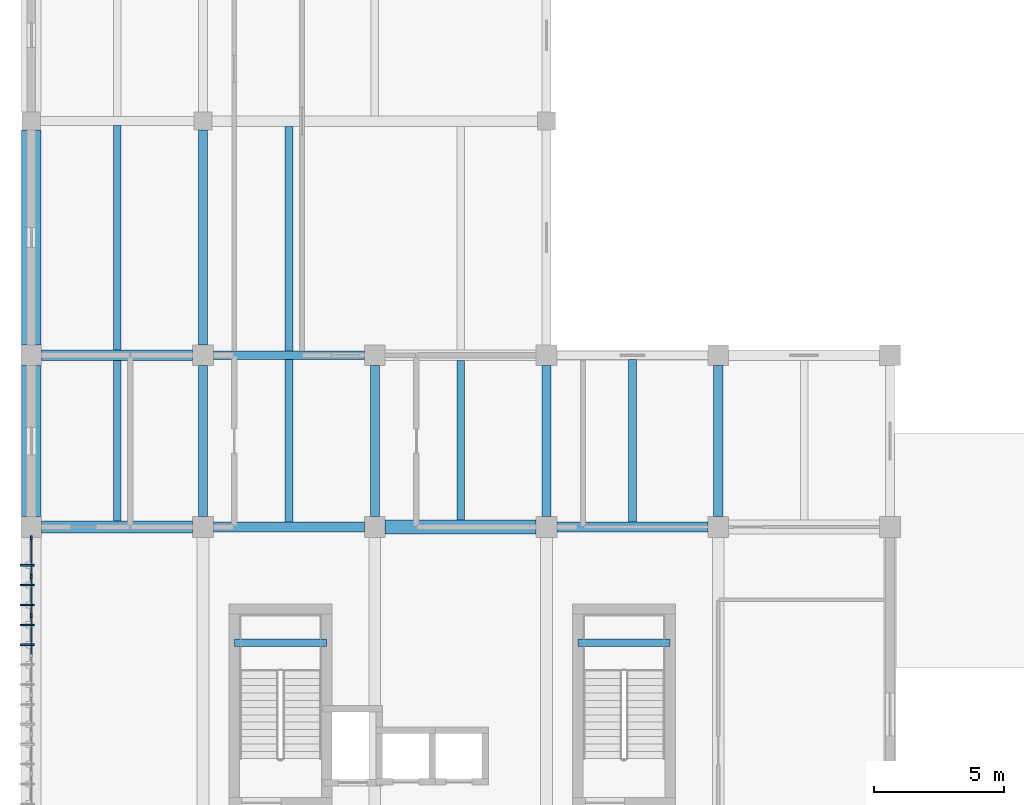
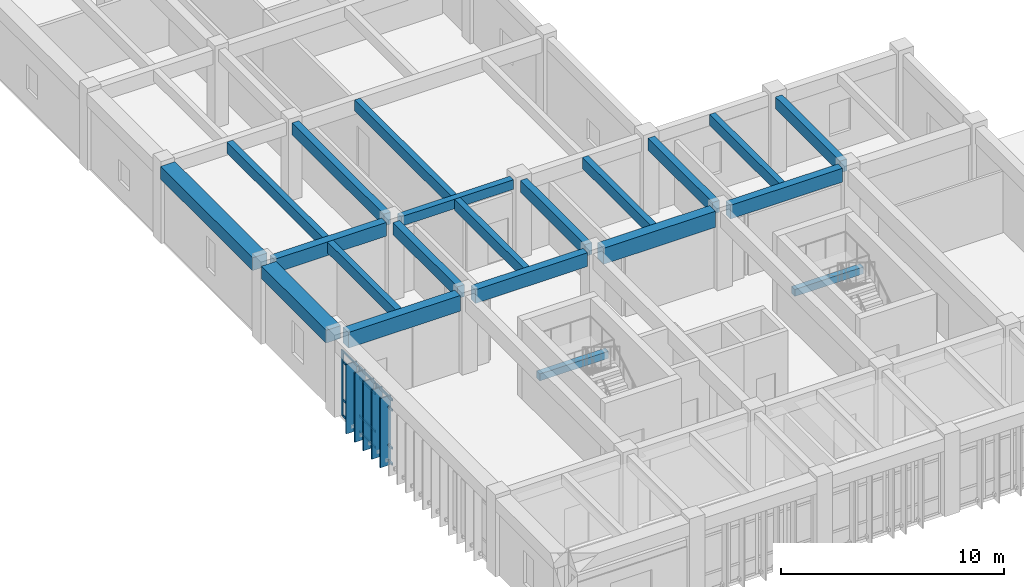
# One storey, part 5 of 34: 21 beams, 20 members, 1 element without a shape of its own.
"""IFC4 building model written with IfcOpenShell, lengths in metres."""

from ifc_helpers import new_model, si_unit, direction, frame, origin, origin_2d, place, context, subcontext, project, spatial, rectangle, extrude, material, layer, layer_set, material_profile, profile_set, type_object, element, aggregate, save


model = new_model("IFC4")

# Units and contexts
model_context = context("Model", 3, precision=1e-05, world=origin(), true_north=direction((0.0, 1.0)))
body_context = subcontext(model_context, "Body", "Model", "MODEL_VIEW")
ifc_project = project(units=[si_unit("LENGTHUNIT", "METRE"), si_unit("AREAUNIT", "SQUARE_METRE"), si_unit("VOLUMEUNIT", "CUBIC_METRE"), si_unit("PLANEANGLEUNIT", "RADIAN"), si_unit("MASSUNIT", "GRAM", prefix="KILO")], contexts=[model_context])

# Site, building, storey
site_placement = place(None, origin())
site = spatial("IfcSite", under=ifc_project, at=site_placement, CompositionType="ELEMENT")
building_placement = place(site_placement, origin())
building = spatial("IfcBuilding", under=site, at=building_placement, Name="Miralva Faculty of Natural Sciences", CompositionType="ELEMENT")
storey_placement = place(building_placement, frame((0.0, 0.0, 24.0)))
storey = spatial("IfcBuildingStorey", under=building, at=storey_placement, Name="L05", CompositionType="ELEMENT", Elevation=24.0)

# Beams
ifc_material_1 = material(Name="Concrete C40/50", Category="concrete")
ifc_material_profile_1 = material_profile(ifc_material_1, rectangle(XDim=0.39990234375, YDim=0.75, at=origin_2d()), Name="RC 400x750")
ifc_profile_set_1 = profile_set([ifc_material_profile_1], Name="Concrete C40/50")
beam_type_1 = type_object("IfcBeamType", Name="BM-B03", PredefinedType="BEAM", material=ifc_profile_set_1)
for number, where, z_axis, x_axis, name in (
    (1, (10.0, 23.39990234375, 3.905029296875), (1.0, 0.0, 0.0), (0.0, 1.0, 0.0), "Girder EW L05-12"),
    (2, (23.199951171875, 23.39990234375, 3.905029296875), (1.0, 0.0, 0.0), (0.0, 1.0, 0.0), "Girder EW L05-14"),
    (3, (3.39990234375, 30.0, 3.875), (1.0, 0.0, 0.0), (0.0, 1.0, 0.0), "Girder EW L05-16"),
):
    element("IfcBeam", number, at=place(storey_placement, frame(where, z_axis=z_axis, x_axis=x_axis)), inside=storey, type_object=beam_type_1, Name=name, PredefinedType="BEAM", context=body_context, shape_type="SweptSolid", body=[
        extrude(rectangle(XDim=0.39990234375, YDim=0.75, at=origin_2d()), origin(), (0.0, 0.0, 1.0), 5.800048828125),
    ])
ifc_material_profile_2 = material_profile(ifc_material_1, rectangle(XDim=0.35009765625, YDim=0.64990234375, at=origin_2d()), Name="RC 350x650")
ifc_profile_set_2 = profile_set([ifc_material_profile_2], Name="Concrete C40/50")
beam_type_2 = type_object("IfcBeamType", Name="BM-B05", PredefinedType="BEAM", material=ifc_profile_set_2)
beam_1_placement = place(storey_placement, frame((9.60009765625, 23.800048828125, 3.955078125), z_axis=(0.0, 1.0, 0.0), x_axis=(-1.0, 0.0, 0.0)))
element("IfcBeam", 4, at=beam_1_placement, inside=storey, type_object=beam_type_2, Name="Girder NS L05-41", PredefinedType="BEAM", context=body_context, shape_type="SweptSolid", body=[
    extrude(rectangle(XDim=0.35009765625, YDim=0.64990234375, at=origin_2d()), origin(), (0.0, 0.0, 1.0), 5.800048828125),
])
beam_2_placement = place(storey_placement, frame((9.60009765625, 30.39990234375, 3.925048828125), z_axis=(0.0, 1.0, 0.0), x_axis=(-1.0, 0.0, 0.0)))
element("IfcBeam", 5, at=beam_2_placement, inside=storey, type_object=beam_type_2, Name="Girder NS L05-42", PredefinedType="BEAM", context=body_context, shape_type="SweptSolid", body=[
    extrude(rectangle(XDim=0.35009765625, YDim=0.64990234375, at=origin_2d()), origin(), (0.0, 0.0, 1.0), 8.25),
])
for number, where, z_axis, x_axis, name in (
    (6, (16.199951171875, 23.800048828125, 3.955078125), (0.0, 1.0, 0.0), (-1.0, 0.0, 0.0), "Girder NS L05-49"),
    (7, (22.800048828125, 23.800048828125, 3.955078125), (0.0, 1.0, 0.0), (-1.0, 0.0, 0.0), "Girder NS L05-52"),
    (8, (29.39990234375, 23.800048828125, 3.905029296875), (0.0, 1.0, 0.0), (-1.0, 0.0, 0.0), "Girder NS L05-60"),
):
    element("IfcBeam", number, at=place(storey_placement, frame(where, z_axis=z_axis, x_axis=x_axis)), inside=storey, type_object=beam_type_2, Name=name, PredefinedType="BEAM", context=body_context, shape_type="SweptSolid", body=[
        extrude(rectangle(XDim=0.35009765625, YDim=0.64990234375, at=origin_2d()), origin(), (0.0, 0.0, 1.0), 5.800048828125),
    ])
ifc_material_profile_3 = material_profile(ifc_material_1, rectangle(XDim=0.320068359375, YDim=0.52001953125, at=origin_2d()), Name="RC 320x520")
ifc_profile_set_3 = profile_set([ifc_material_profile_3], Name="Concrete C40/50")
beam_type_3 = type_object("IfcBeamType", Name="BM-BG01", PredefinedType="BEAM", material=ifc_profile_set_3)
beam_3_placement = place(storey_placement, frame((10.0, 30.0, 3.989990234375), z_axis=(1.0, 0.0, 0.0), x_axis=(0.0, 1.0, 0.0)))
element("IfcBeam", 9, at=beam_3_placement, inside=storey, type_object=beam_type_3, Name="Girder EW L05-17", PredefinedType="BEAM", context=body_context, shape_type="SweptSolid", body=[
    extrude(rectangle(XDim=0.320068359375, YDim=0.52001953125, at=origin_2d()), origin(), (0.0, 0.0, 1.0), 5.800048828125),
])
ifc_material_profile_4 = material_profile(ifc_material_1, rectangle(XDim=0.47998046875, YDim=0.860107421875, at=origin_2d()), Name="RC 480x860")
ifc_profile_set_4 = profile_set([ifc_material_profile_4], Name="Concrete C40/50")
beam_type_4 = type_object("IfcBeamType", Name="BM-BG17", PredefinedType="BEAM", material=ifc_profile_set_4)
beam_4_placement = place(storey_placement, frame((3.39990234375, 23.39990234375, 3.85009765625), z_axis=(1.0, 0.0, 0.0), x_axis=(0.0, 1.0, 0.0)))
element("IfcBeam", 10, at=beam_4_placement, inside=storey, type_object=beam_type_4, Name="Girder EW L05-11", PredefinedType="BEAM", context=body_context, shape_type="SweptSolid", body=[
    extrude(rectangle(XDim=0.47998046875, YDim=0.860107421875, at=origin_2d()), origin(), (0.0, 0.0, 1.0), 5.800048828125),
])
ifc_material_profile_5 = material_profile(ifc_material_1, rectangle(XDim=0.52001953125, YDim=0.8798828125, at=origin_2d()), Name="RC 520x880")
ifc_profile_set_5 = profile_set([ifc_material_profile_5], Name="Concrete C40/50")
beam_type_5 = type_object("IfcBeamType", Name="BM-BG19", PredefinedType="BEAM", material=ifc_profile_set_5)
beam_5_placement = place(storey_placement, frame((16.60009765625, 23.39990234375, 3.840087890625), z_axis=(1.0, 0.0, 0.0), x_axis=(0.0, 1.0, 0.0)))
element("IfcBeam", 11, at=beam_5_placement, inside=storey, type_object=beam_type_5, Name="Girder EW L05-13", PredefinedType="BEAM", context=body_context, shape_type="SweptSolid", body=[
    extrude(rectangle(XDim=0.52001953125, YDim=0.8798828125, at=origin_2d()), origin(), (0.0, 0.0, 1.0), 5.7998046875),
])
ifc_material_profile_6 = material_profile(ifc_material_1, rectangle(XDim=0.300048828125, YDim=0.60009765625, at=origin_2d()), Name="RC 300x600")
ifc_profile_set_6 = profile_set([ifc_material_profile_6], Name="Concrete C40/50")
beam_type_6 = type_object("IfcBeamType", Name="BM-J01", PredefinedType="JOIST", material=ifc_profile_set_6)
beam_6_placement = place(storey_placement, frame((6.300048828125, 23.639892578125, 3.949951171875), z_axis=(0.0, 1.0, 0.0), x_axis=(-1.0, 0.0, 0.0)))
element("IfcBeam", 12, at=beam_6_placement, inside=storey, type_object=beam_type_6, Name="Floor joist L05-6", PredefinedType="JOIST", context=body_context, shape_type="SweptSolid", body=[
    extrude(rectangle(XDim=0.300048828125, YDim=0.60009765625, at=origin_2d()), origin(), (0.0, 0.0, 1.0), 6.16015625),
])
beam_7_placement = place(storey_placement, frame((12.89990234375, 23.60009765625, 3.949951171875), z_axis=(0.0, 1.0, 0.0), x_axis=(-1.0, 0.0, 0.0)))
element("IfcBeam", 13, at=beam_7_placement, inside=storey, type_object=beam_type_6, Name="Floor joist L05-7", PredefinedType="JOIST", context=body_context, shape_type="SweptSolid", body=[
    extrude(rectangle(XDim=0.300048828125, YDim=0.60009765625, at=origin_2d()), origin(), (0.0, 0.0, 1.0), 6.239990234375),
])
beam_8_placement = place(storey_placement, frame((19.5, 23.659912109375, 3.949951171875), z_axis=(0.0, 1.0, 0.0), x_axis=(-1.0, 0.0, 0.0)))
element("IfcBeam", 14, at=beam_8_placement, inside=storey, type_object=beam_type_6, Name="Floor joist L05-8", PredefinedType="JOIST", context=body_context, shape_type="SweptSolid", body=[
    extrude(rectangle(XDim=0.300048828125, YDim=0.60009765625, at=origin_2d()), origin(), (0.0, 0.0, 1.0), 6.14013671875),
])
beam_9_placement = place(storey_placement, frame((26.10009765625, 23.60009765625, 3.97998046875), z_axis=(0.0, 1.0, 0.0), x_axis=(-1.0, 0.0, 0.0)))
element("IfcBeam", 15, at=beam_9_placement, inside=storey, type_object=beam_type_6, Name="Floor joist L05-9", PredefinedType="JOIST", context=body_context, shape_type="SweptSolid", body=[
    extrude(rectangle(XDim=0.300048828125, YDim=0.60009765625, at=origin_2d()), origin(), (0.0, 0.0, 1.0), 6.22998046875),
])
beam_10_placement = place(storey_placement, frame((6.300048828125, 30.199951171875, 3.949951171875), z_axis=(0.0, 1.0, 0.0), x_axis=(-1.0, 0.0, 0.0)))
element("IfcBeam", 16, at=beam_10_placement, inside=storey, type_object=beam_type_6, Name="Floor joist L05-11", PredefinedType="JOIST", context=body_context, shape_type="SweptSolid", body=[
    extrude(rectangle(XDim=0.300048828125, YDim=0.60009765625, at=origin_2d()), origin(), (0.0, 0.0, 1.0), 8.6201171875),
])
beam_11_placement = place(storey_placement, frame((12.89990234375, 30.159912109375, 3.949951171875), z_axis=(0.0, 1.0, 0.0), x_axis=(-1.0, 0.0, 0.0)))
element("IfcBeam", 17, at=beam_11_placement, inside=storey, type_object=beam_type_6, Name="Floor joist L05-12", PredefinedType="JOIST", context=body_context, shape_type="SweptSolid", body=[
    extrude(rectangle(XDim=0.300048828125, YDim=0.60009765625, at=origin_2d()), origin(), (0.0, 0.0, 1.0), 8.64013671875),
])
ifc_material_profile_7 = material_profile(ifc_material_1, rectangle(XDim=0.300048828125, YDim=0.3798828125, at=origin_2d()), Name="RC 300x380")
ifc_profile_set_7 = profile_set([ifc_material_profile_7], Name="Concrete C40/50")
beam_type_7 = type_object("IfcBeamType", Name="BM-LND01", PredefinedType="BEAM", material=ifc_profile_set_7)
for number, where, z_axis, x_axis, name in (
    (18, (10.800048828125, 18.955078125, 1.8701171875), (1.0, 0.0, 0.0), (0.0, 1.0, 0.0), "Stair Core C1 half-landing support beam L05"),
    (19, (24.0, 18.955078125, 1.8701171875), (1.0, 0.0, 0.0), (0.0, 1.0, 0.0), "Stair Core C1B half-landing support beam L05"),
):
    element("IfcBeam", number, at=place(storey_placement, frame(where, z_axis=z_axis, x_axis=x_axis)), inside=storey, type_object=beam_type_7, Name=name, PredefinedType="BEAM", context=body_context, shape_type="SweptSolid", body=[
        extrude(rectangle(XDim=0.300048828125, YDim=0.3798828125, at=origin_2d()), origin(), (0.0, 0.0, 1.0), 3.550048828125),
    ])
ifc_material_profile_8 = material_profile(ifc_material_1, rectangle(XDim=0.75, YDim=0.699951171875, at=origin_2d()), Name="RC 750x700")
ifc_profile_set_8 = profile_set([ifc_material_profile_8], Name="Concrete C40/50")
beam_type_8 = type_object("IfcBeamType", Name="BM-SP01", PredefinedType="SPANDREL", material=ifc_profile_set_8)
beam_12_placement = place(storey_placement, frame((3.0, 23.800048828125, 3.929931640625), z_axis=(0.0, 1.0, 0.0), x_axis=(-1.0, 0.0, 0.0)))
element("IfcBeam", 20, at=beam_12_placement, inside=storey, type_object=beam_type_8, Name="Girder NS L05-33", PredefinedType="SPANDREL", context=body_context, shape_type="SweptSolid", body=[
    extrude(rectangle(XDim=0.75, YDim=0.699951171875, at=origin_2d()), origin(), (0.0, 0.0, 1.0), 5.800048828125),
])
beam_13_placement = place(storey_placement, frame((3.0, 30.39990234375, 3.89990234375), z_axis=(0.0, 1.0, 0.0), x_axis=(-1.0, 0.0, 0.0)))
element("IfcBeam", 21, at=beam_13_placement, inside=storey, type_object=beam_type_8, Name="Girder NS L05-34", PredefinedType="SPANDREL", context=body_context, shape_type="SweptSolid", body=[
    extrude(rectangle(XDim=0.75, YDim=0.699951171875, at=origin_2d()), origin(), (0.0, 0.0, 1.0), 8.25),
])

# Curtain wall, members
ifc_material_2 = material(Name="Laminated solar-control glass", Category="glass")
ifc_layer = layer(ifc_material_2, 0.179931640625, Name="CW-TWR-L03")
ifc_layer_set = layer_set([ifc_layer], Name="Laminated solar-control glass")
curtain_wall_type = type_object("IfcCurtainWallType", Name="CW-TWR-L03", PredefinedType="USERDEFINED", material=ifc_layer_set)
curtain_wall_placement = place(storey_placement, origin())
curtain_wall = element("IfcCurtainWall", 22, at=curtain_wall_placement, inside=storey, type_object=curtain_wall_type, Name="Curtain wall CW-14 L05-238", ObjectType="UNITISED CURTAIN WALL", PredefinedType="USERDEFINED")
ifc_material_3 = material(Name="Anodised aluminium", Category="aluminium")
ifc_material_profile_9 = material_profile(ifc_material_3, rectangle(XDim=0.06494140625, YDim=0.159912109375, at=origin_2d()), Name="MULLION 65x160")
ifc_profile_set_9 = profile_set([ifc_material_profile_9], Name="Anodised aluminium")
member_type_1 = type_object("IfcMemberType", Name="CW-M02", PredefinedType="MULLION", material=ifc_profile_set_9)
member_1_placement = place(storey_placement, frame((3.0, 19.986083984375, 0.0), z_axis=(0.0, 0.0, 1.0), x_axis=(-1.0, 0.0, 0.0)))
member_1 = element("IfcMember", 23, at=member_1_placement, type_object=member_type_1, Name="CW-14 mullion 8", PredefinedType="MULLION", context=body_context, shape_type="SweptSolid", body=[
    extrude(rectangle(XDim=0.06494140625, YDim=0.159912109375, at=origin_2d()), origin(), (0.0, 0.0, 1.0), 3.574951171875),
])
member_2_placement = place(storey_placement, frame((3.0, 21.50048828125, 0.0), z_axis=(0.0, 0.0, 1.0), x_axis=(-1.0, 0.0, 0.0)))
member_2 = element("IfcMember", 24, at=member_2_placement, type_object=member_type_1, Name="CW-14 mullion 9", PredefinedType="MULLION", context=body_context, shape_type="SweptSolid", body=[
    extrude(rectangle(XDim=0.06494140625, YDim=0.159912109375, at=origin_2d()), origin(), (0.0, 0.0, 1.0), 3.574951171875),
])
member_3_placement = place(storey_placement, frame((3.0, 22.982421875, 0.0), z_axis=(0.0, 0.0, 1.0), x_axis=(-1.0, 0.0, 0.0)))
member_3 = element("IfcMember", 25, at=member_3_placement, type_object=member_type_1, Name="CW-14 mullion 10", PredefinedType="MULLION", context=body_context, shape_type="SweptSolid", body=[
    extrude(rectangle(XDim=0.06494140625, YDim=0.159912109375, at=origin_2d()), origin(), (0.0, 0.0, 1.0), 3.574951171875),
])
ifc_material_profile_10 = material_profile(ifc_material_3, rectangle(XDim=0.06005859375, YDim=0.1201171875, at=origin_2d()), Name="TRANSOM 60x120")
ifc_profile_set_10 = profile_set([ifc_material_profile_10], Name="Anodised aluminium")
member_type_2 = type_object("IfcMemberType", Name="CW-T02", PredefinedType="USERDEFINED", material=ifc_profile_set_10)
member_4_placement = place(storey_placement, frame((3.0, 18.504150390625, 0.030029296875), z_axis=(0.0, 1.0, 0.0), x_axis=(-1.0, 0.0, 0.0)))
member_4 = element("IfcMember", 26, at=member_4_placement, type_object=member_type_2, Name="CW-14 transom 7.1", ObjectType="TRANSOM", PredefinedType="USERDEFINED", context=body_context, shape_type="SweptSolid", body=[
    extrude(rectangle(XDim=0.06005859375, YDim=0.1201171875, at=origin_2d()), origin(), (0.0, 0.0, 1.0), 1.449462890625),
])
member_5_placement = place(storey_placement, frame((3.0, 18.504150390625, 0.89990234375), z_axis=(0.0, 1.0, 0.0), x_axis=(-1.0, 0.0, 0.0)))
member_5 = element("IfcMember", 27, at=member_5_placement, type_object=member_type_2, Name="CW-14 transom 7.2", ObjectType="TRANSOM", PredefinedType="USERDEFINED", context=body_context, shape_type="SweptSolid", body=[
    extrude(rectangle(XDim=0.06005859375, YDim=0.1201171875, at=origin_2d()), origin(), (0.0, 0.0, 1.0), 1.449462890625),
])
member_6_placement = place(storey_placement, frame((3.0, 18.504150390625, 2.97509765625), z_axis=(0.0, 1.0, 0.0), x_axis=(-1.0, 0.0, 0.0)))
member_6 = element("IfcMember", 28, at=member_6_placement, type_object=member_type_2, Name="CW-14 transom 7.3", ObjectType="TRANSOM", PredefinedType="USERDEFINED", context=body_context, shape_type="SweptSolid", body=[
    extrude(rectangle(XDim=0.06005859375, YDim=0.1201171875, at=origin_2d()), origin(), (0.0, 0.0, 1.0), 1.449462890625),
])
member_7_placement = place(storey_placement, frame((3.0, 18.504150390625, 3.544921875), z_axis=(0.0, 1.0, 0.0), x_axis=(-1.0, 0.0, 0.0)))
member_7 = element("IfcMember", 29, at=member_7_placement, type_object=member_type_2, Name="CW-14 transom 7.4", ObjectType="TRANSOM", PredefinedType="USERDEFINED", context=body_context, shape_type="SweptSolid", body=[
    extrude(rectangle(XDim=0.06005859375, YDim=0.1201171875, at=origin_2d()), origin(), (0.0, 0.0, 1.0), 1.449462890625),
])
member_8_placement = place(storey_placement, frame((3.0, 20.0185546875, 0.030029296875), z_axis=(0.0, 1.0, 0.0), x_axis=(-1.0, 0.0, 0.0)))
member_8 = element("IfcMember", 30, at=member_8_placement, type_object=member_type_2, Name="CW-14 transom 8.1", ObjectType="TRANSOM", PredefinedType="USERDEFINED", context=body_context, shape_type="SweptSolid", body=[
    extrude(rectangle(XDim=0.06005859375, YDim=0.1201171875, at=origin_2d()), origin(), (0.0, 0.0, 1.0), 1.449462890625),
])
member_9_placement = place(storey_placement, frame((3.0, 20.0185546875, 0.89990234375), z_axis=(0.0, 1.0, 0.0), x_axis=(-1.0, 0.0, 0.0)))
member_9 = element("IfcMember", 31, at=member_9_placement, type_object=member_type_2, Name="CW-14 transom 8.2", ObjectType="TRANSOM", PredefinedType="USERDEFINED", context=body_context, shape_type="SweptSolid", body=[
    extrude(rectangle(XDim=0.06005859375, YDim=0.1201171875, at=origin_2d()), origin(), (0.0, 0.0, 1.0), 1.449462890625),
])
member_10_placement = place(storey_placement, frame((3.0, 20.0185546875, 2.97509765625), z_axis=(0.0, 1.0, 0.0), x_axis=(-1.0, 0.0, 0.0)))
member_10 = element("IfcMember", 32, at=member_10_placement, type_object=member_type_2, Name="CW-14 transom 8.3", ObjectType="TRANSOM", PredefinedType="USERDEFINED", context=body_context, shape_type="SweptSolid", body=[
    extrude(rectangle(XDim=0.06005859375, YDim=0.1201171875, at=origin_2d()), origin(), (0.0, 0.0, 1.0), 1.449462890625),
])
member_11_placement = place(storey_placement, frame((3.0, 20.0185546875, 3.544921875), z_axis=(0.0, 1.0, 0.0), x_axis=(-1.0, 0.0, 0.0)))
member_11 = element("IfcMember", 33, at=member_11_placement, type_object=member_type_2, Name="CW-14 transom 8.4", ObjectType="TRANSOM", PredefinedType="USERDEFINED", context=body_context, shape_type="SweptSolid", body=[
    extrude(rectangle(XDim=0.06005859375, YDim=0.1201171875, at=origin_2d()), origin(), (0.0, 0.0, 1.0), 1.449462890625),
])
member_12_placement = place(storey_placement, frame((3.0, 21.532958984375, 0.030029296875), z_axis=(0.0, 1.0, 0.0), x_axis=(-1.0, 0.0, 0.0)))
member_12 = element("IfcMember", 34, at=member_12_placement, type_object=member_type_2, Name="CW-14 transom 9.1", ObjectType="TRANSOM", PredefinedType="USERDEFINED", context=body_context, shape_type="SweptSolid", body=[
    extrude(rectangle(XDim=0.06005859375, YDim=0.1201171875, at=origin_2d()), origin(), (0.0, 0.0, 1.0), 1.4169921875),
])
member_13_placement = place(storey_placement, frame((3.0, 21.532958984375, 0.89990234375), z_axis=(0.0, 1.0, 0.0), x_axis=(-1.0, 0.0, 0.0)))
member_13 = element("IfcMember", 35, at=member_13_placement, type_object=member_type_2, Name="CW-14 transom 9.2", ObjectType="TRANSOM", PredefinedType="USERDEFINED", context=body_context, shape_type="SweptSolid", body=[
    extrude(rectangle(XDim=0.06005859375, YDim=0.1201171875, at=origin_2d()), origin(), (0.0, 0.0, 1.0), 1.4169921875),
])
member_14_placement = place(storey_placement, frame((3.0, 21.532958984375, 2.97509765625), z_axis=(0.0, 1.0, 0.0), x_axis=(-1.0, 0.0, 0.0)))
member_14 = element("IfcMember", 36, at=member_14_placement, type_object=member_type_2, Name="CW-14 transom 9.3", ObjectType="TRANSOM", PredefinedType="USERDEFINED", context=body_context, shape_type="SweptSolid", body=[
    extrude(rectangle(XDim=0.06005859375, YDim=0.1201171875, at=origin_2d()), origin(), (0.0, 0.0, 1.0), 1.4169921875),
])
member_15_placement = place(storey_placement, frame((3.0, 21.532958984375, 3.544921875), z_axis=(0.0, 1.0, 0.0), x_axis=(-1.0, 0.0, 0.0)))
member_15 = element("IfcMember", 37, at=member_15_placement, type_object=member_type_2, Name="CW-14 transom 9.4", ObjectType="TRANSOM", PredefinedType="USERDEFINED", context=body_context, shape_type="SweptSolid", body=[
    extrude(rectangle(XDim=0.06005859375, YDim=0.1201171875, at=origin_2d()), origin(), (0.0, 0.0, 1.0), 1.4169921875),
])
aggregate(curtain_wall, [member_1, member_2, member_3, member_4, member_5, member_6, member_7, member_8, member_9, member_10, member_11, member_12, member_13, member_14, member_15])

# Members
ifc_material_profile_11 = material_profile(ifc_material_3, rectangle(XDim=0.06494140625, YDim=0.550048828125, at=origin_2d()), Name="FIN 550x65")
ifc_profile_set_11 = profile_set([ifc_material_profile_11], Name="Anodised aluminium")
member_type_3 = type_object("IfcMemberType", Name="MEM-SF03", PredefinedType="USERDEFINED", material=ifc_profile_set_11)
for number, where, z_axis, x_axis, name in (
    (38, (2.840087890625, 18.875244140625, -0.219970703125), (0.0, 0.0, 1.0), (0.0, -1.0, 0.0), "Solar shading fin SF-03 L05-364"),
    (39, (2.840087890625, 19.6396484375, -0.219970703125), (0.0, 0.0, 1.0), (0.0, -1.0, 0.0), "Solar shading fin SF-03 L05-365"),
    (40, (2.840087890625, 20.404052734375, -0.219970703125), (0.0, 0.0, 1.0), (0.0, -1.0, 0.0), "Solar shading fin SF-03 L05-366"),
    (41, (2.840087890625, 21.16845703125, -0.219970703125), (0.0, 0.0, 1.0), (0.0, -1.0, 0.0), "Solar shading fin SF-03 L05-367"),
    (42, (2.840087890625, 21.932861328125, -0.219970703125), (0.0, 0.0, 1.0), (0.0, -1.0, 0.0), "Solar shading fin SF-03 L05-368"),
):
    element("IfcMember", number, at=place(storey_placement, frame(where, z_axis=z_axis, x_axis=x_axis)), inside=storey, type_object=member_type_3, Name=name, ObjectType="SUNSHADE", PredefinedType="USERDEFINED", context=body_context, shape_type="SweptSolid", body=[
        extrude(rectangle(XDim=0.06494140625, YDim=0.550048828125, at=origin_2d()), origin(), (0.0, 0.0, 1.0), 3.794921875),
    ])

save(model, "model.ifc")
